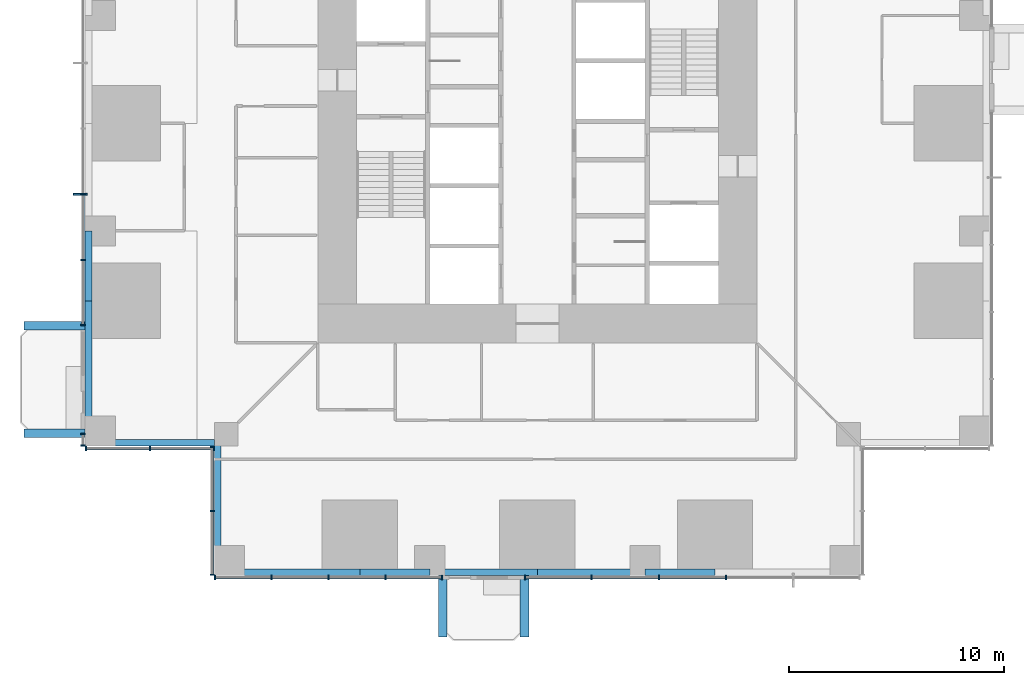
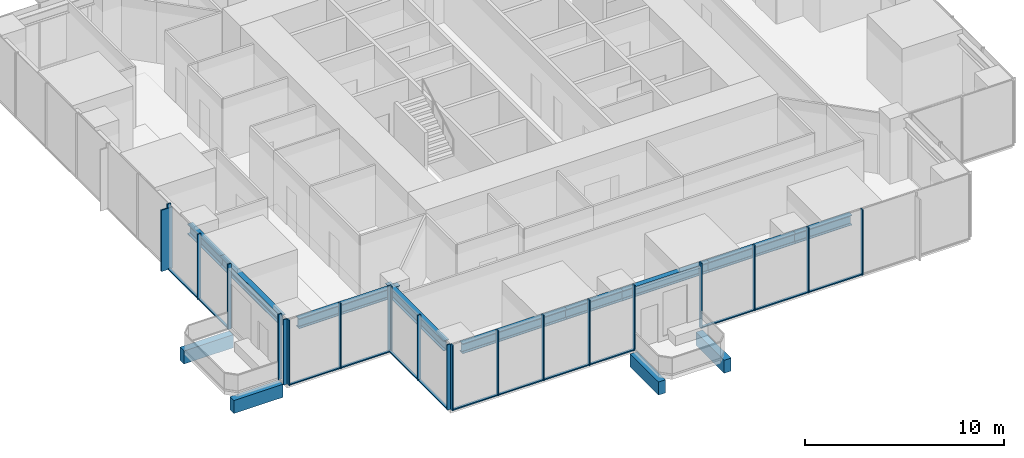
# One storey, part 2 of 17: 34 members, 13 beams, 6 elements without a shape of their own.
"""IFC4 building model written with IfcOpenShell, lengths in metres."""

from ifc_helpers import new_model, si_unit, direction, frame, origin, origin_2d, place, context, subcontext, project, spatial, rectangle, i_section, extrude, material, material_profile, profile_set, type_object, element, aggregate, save


model = new_model("IFC4")

# Units and contexts
model_context = context("Model", 3, precision=1e-05, world=origin(), true_north=direction((0.0, 1.0)))
body_context = subcontext(model_context, "Body", "Model", "MODEL_VIEW")
ifc_project = project(units=[si_unit("LENGTHUNIT", "METRE"), si_unit("AREAUNIT", "SQUARE_METRE"), si_unit("VOLUMEUNIT", "CUBIC_METRE"), si_unit("PLANEANGLEUNIT", "RADIAN"), si_unit("MASSUNIT", "GRAM", prefix="KILO")], contexts=[model_context])

# Site, building, storey
site_placement = place(None, origin())
site = spatial("IfcSite", under=ifc_project, at=site_placement, CompositionType="ELEMENT")
building_placement = place(site_placement, origin())
building = spatial("IfcBuilding", under=site, at=building_placement, Name="Svetlomir Tower", CompositionType="ELEMENT")
storey_placement = place(building_placement, frame((0.0, 0.0, 38.5)))
storey = spatial("IfcBuildingStorey", under=building, at=storey_placement, Name="L08", CompositionType="ELEMENT", Elevation=38.5)

# Beams
ifc_material_1 = material(Name="Concrete C60/75", Category="concrete")
ifc_material_profile_1 = material_profile(ifc_material_1, rectangle(XDim=0.39990234375, YDim=0.800048828125, at=origin_2d()), Name="RC 400x800")
ifc_profile_set_1 = profile_set([ifc_material_profile_1], Name="Concrete C60/75")
beam_type_1 = type_object("IfcBeamType", Name="BALCONY RIB RC 400x800", PredefinedType="BEAM", material=ifc_profile_set_1)
for number, where, z_axis, x_axis, name in (
    (1, (16.60009765625, 0.0, -0.64990234375), (0.0, -1.0, 0.0), (1.0, 0.0, 0.0), "Balcony rib S 1 L08"),
    (2, (20.39990234375, 0.0, -0.64990234375), (0.0, -1.0, 0.0), (1.0, 0.0, 0.0), "Balcony rib S 2 L08"),
    (3, (0.0, 6.60009765625, -0.64990234375), (-1.0, 0.0, 0.0), (0.0, -1.0, 0.0), "Balcony rib W 1 L08"),
    (4, (0.0, 11.60009765625, -0.64990234375), (-1.0, 0.0, 0.0), (0.0, -1.0, 0.0), "Balcony rib W 2 L08"),
):
    element("IfcBeam", number, at=place(storey_placement, frame(where, z_axis=z_axis, x_axis=x_axis)), inside=storey, type_object=beam_type_1, Name=name, PredefinedType="BEAM", context=body_context, shape_type="SweptSolid", body=[
        extrude(rectangle(XDim=0.39990234375, YDim=0.800048828125, at=origin_2d()), origin(), (0.0, 0.0, 1.0), 2.85009765625),
    ])

# Curtain wall, member
ifc_material_2 = material(Name="Bronze anodised aluminium curtain wall", Category="aluminium")
curtain_wall_type = type_object("IfcCurtainWallType", Name="CURTAIN WALL CW1 TOWER OFFICE", PredefinedType="NOTDEFINED", material=ifc_material_2)
curtain_wall_1_placement = place(storey_placement, origin())
curtain_wall_1 = element("IfcCurtainWall", 5, at=curtain_wall_1_placement, inside=storey, type_object=curtain_wall_type, Name="Curtain wall CW1 L08", PredefinedType="NOTDEFINED")
ifc_material_3 = material(Name="Bronze anodised aluminium", Category="aluminium")
ifc_material_profile_2 = material_profile(ifc_material_3, rectangle(XDim=0.080078125, YDim=0.64990234375, at=origin_2d()), Name="FIN 80x650")
ifc_profile_set_2 = profile_set([ifc_material_profile_2], Name="Bronze anodised aluminium 6063-T6")
member_type_1 = type_object("IfcMemberType", Name="BRONZE FIN 80x650", PredefinedType="USERDEFINED", material=ifc_profile_set_2)
member_1_placement = place(storey_placement, frame((-0.22509765625, 17.699951171875, 0.0), z_axis=(0.0, 0.0, 1.0), x_axis=(0.0, 1.0, 0.0)))
member_1 = element("IfcMember", 6, at=member_1_placement, type_object=member_type_1, Name="Bronze fin L08", ObjectType="FIN", PredefinedType="USERDEFINED", context=body_context, shape_type="SweptSolid", body=[
    extrude(rectangle(XDim=0.080078125, YDim=0.64990234375, at=origin_2d()), origin(), (0.0, 0.0, 1.0), 3.75),
])

# Curtain wall, members
curtain_wall_2_placement = place(storey_placement, origin())
curtain_wall_2 = element("IfcCurtainWall", 7, at=curtain_wall_2_placement, inside=storey, type_object=curtain_wall_type, Name="Curtain wall CW1 L08", PredefinedType="NOTDEFINED")
ifc_material_4 = material(Name="Bronze anodised aluminium", Category="aluminium")
ifc_material_profile_3 = material_profile(ifc_material_4, rectangle(XDim=0.06494140625, YDim=0.199951171875, at=origin_2d()), Name="AL 65x200")
ifc_profile_set_3 = profile_set([ifc_material_profile_3], Name="Bronze anodised aluminium 6063-T6")
member_type_2 = type_object("IfcMemberType", Name="CW1 MULLION 65x200", PredefinedType="MULLION", material=ifc_profile_set_3)
member_2_placement = place(storey_placement, frame((6.032470703125, -0.10009765625, 0.0), z_axis=(0.0, 0.0, 1.0), x_axis=(1.0, 0.0, 0.0)))
member_2 = element("IfcMember", 8, at=member_2_placement, type_object=member_type_2, Name="CW1 mullion 1", PredefinedType="MULLION", context=body_context, shape_type="SweptSolid", body=[
    extrude(rectangle(XDim=0.06494140625, YDim=0.199951171875, at=origin_2d()), origin(), (0.0, 0.0, 1.0), 4.0),
])
member_3_placement = place(storey_placement, frame((8.64990234375, -0.10009765625, 0.0), z_axis=(0.0, 0.0, 1.0), x_axis=(1.0, 0.0, 0.0)))
member_3 = element("IfcMember", 9, at=member_3_placement, type_object=member_type_2, Name="CW1 mullion 2", PredefinedType="MULLION", context=body_context, shape_type="SweptSolid", body=[
    extrude(rectangle(XDim=0.06494140625, YDim=0.199951171875, at=origin_2d()), origin(), (0.0, 0.0, 1.0), 4.0),
])
member_4_placement = place(storey_placement, frame((11.300048828125, -0.10009765625, 0.0), z_axis=(0.0, 0.0, 1.0), x_axis=(1.0, 0.0, 0.0)))
member_4 = element("IfcMember", 10, at=member_4_placement, type_object=member_type_2, Name="CW1 mullion 3", PredefinedType="MULLION", context=body_context, shape_type="SweptSolid", body=[
    extrude(rectangle(XDim=0.06494140625, YDim=0.199951171875, at=origin_2d()), origin(), (0.0, 0.0, 1.0), 4.0),
])
member_5_placement = place(storey_placement, frame((13.949951171875, -0.10009765625, 0.0), z_axis=(0.0, 0.0, 1.0), x_axis=(1.0, 0.0, 0.0)))
member_5 = element("IfcMember", 11, at=member_5_placement, type_object=member_type_2, Name="CW1 mullion 4", PredefinedType="MULLION", context=body_context, shape_type="SweptSolid", body=[
    extrude(rectangle(XDim=0.06494140625, YDim=0.199951171875, at=origin_2d()), origin(), (0.0, 0.0, 1.0), 4.0),
])
member_6_placement = place(storey_placement, frame((16.5673828125, -0.10009765625, 0.0), z_axis=(0.0, 0.0, 1.0), x_axis=(1.0, 0.0, 0.0)))
member_6 = element("IfcMember", 12, at=member_6_placement, type_object=member_type_2, Name="CW1 mullion 5", PredefinedType="MULLION", context=body_context, shape_type="SweptSolid", body=[
    extrude(rectangle(XDim=0.06494140625, YDim=0.199951171875, at=origin_2d()), origin(), (0.0, 0.0, 1.0), 4.0),
])

curtain_wall_3_placement = place(storey_placement, origin())
curtain_wall_3 = element("IfcCurtainWall", 13, at=curtain_wall_3_placement, inside=storey, type_object=curtain_wall_type, Name="Curtain wall CW1 L08", PredefinedType="NOTDEFINED")
member_7_placement = place(storey_placement, frame((20.4326171875, -0.10009765625, 0.0), z_axis=(0.0, 0.0, 1.0), x_axis=(1.0, 0.0, 0.0)))
member_7 = element("IfcMember", 14, at=member_7_placement, type_object=member_type_2, Name="CW1 mullion 1", PredefinedType="MULLION", context=body_context, shape_type="SweptSolid", body=[
    extrude(rectangle(XDim=0.06494140625, YDim=0.199951171875, at=origin_2d()), origin(), (0.0, 0.0, 1.0), 4.0),
])
member_8_placement = place(storey_placement, frame((23.52001953125, -0.10009765625, 0.0), z_axis=(0.0, 0.0, 1.0), x_axis=(1.0, 0.0, 0.0)))
member_8 = element("IfcMember", 15, at=member_8_placement, type_object=member_type_2, Name="CW1 mullion 2", PredefinedType="MULLION", context=body_context, shape_type="SweptSolid", body=[
    extrude(rectangle(XDim=0.06494140625, YDim=0.199951171875, at=origin_2d()), origin(), (0.0, 0.0, 1.0), 4.0),
])
member_9_placement = place(storey_placement, frame((26.639892578125, -0.10009765625, 0.0), z_axis=(0.0, 0.0, 1.0), x_axis=(1.0, 0.0, 0.0)))
member_9 = element("IfcMember", 16, at=member_9_placement, type_object=member_type_2, Name="CW1 mullion 3", PredefinedType="MULLION", context=body_context, shape_type="SweptSolid", body=[
    extrude(rectangle(XDim=0.06494140625, YDim=0.199951171875, at=origin_2d()), origin(), (0.0, 0.0, 1.0), 4.0),
])
member_10_placement = place(storey_placement, frame((29.760009765625, -0.10009765625, 0.0), z_axis=(0.0, 0.0, 1.0), x_axis=(1.0, 0.0, 0.0)))
member_10 = element("IfcMember", 17, at=member_10_placement, type_object=member_type_2, Name="CW1 mullion 4", PredefinedType="MULLION", context=body_context, shape_type="SweptSolid", body=[
    extrude(rectangle(XDim=0.06494140625, YDim=0.199951171875, at=origin_2d()), origin(), (0.0, 0.0, 1.0), 4.0),
])

# Member
member_11_placement = place(storey_placement, frame((-0.10009765625, 17.699951171875, 0.0), z_axis=(0.0, 0.0, 1.0), x_axis=(0.0, -1.0, 0.0)))
member_11 = element("IfcMember", 18, at=member_11_placement, type_object=member_type_2, Name="CW1 mullion 7", PredefinedType="MULLION", context=body_context, shape_type="SweptSolid", body=[
    extrude(rectangle(XDim=0.06494140625, YDim=0.199951171875, at=origin_2d()), origin(), (0.0, 0.0, 1.0), 4.0),
])

member_12_placement = place(storey_placement, frame((-0.10009765625, 14.64990234375, 0.0), z_axis=(0.0, 0.0, 1.0), x_axis=(0.0, -1.0, 0.0)))
member_12 = element("IfcMember", 19, at=member_12_placement, type_object=member_type_2, Name="CW1 mullion 8", PredefinedType="MULLION", context=body_context, shape_type="SweptSolid", body=[
    extrude(rectangle(XDim=0.06494140625, YDim=0.199951171875, at=origin_2d()), origin(), (0.0, 0.0, 1.0), 4.0),
])

member_13_placement = place(storey_placement, frame((-0.10009765625, 11.632568359375, 0.0), z_axis=(0.0, 0.0, 1.0), x_axis=(0.0, -1.0, 0.0)))
member_13 = element("IfcMember", 20, at=member_13_placement, type_object=member_type_2, Name="CW1 mullion 9", PredefinedType="MULLION", context=body_context, shape_type="SweptSolid", body=[
    extrude(rectangle(XDim=0.06494140625, YDim=0.199951171875, at=origin_2d()), origin(), (0.0, 0.0, 1.0), 4.0),
])

# Curtain wall, members
curtain_wall_4_placement = place(storey_placement, origin())
curtain_wall_4 = element("IfcCurtainWall", 21, at=curtain_wall_4_placement, inside=storey, type_object=curtain_wall_type, Name="Curtain wall CW1 L08", PredefinedType="NOTDEFINED")
member_14_placement = place(storey_placement, frame((-0.10009765625, 6.5673828125, 0.0), z_axis=(0.0, 0.0, 1.0), x_axis=(0.0, -1.0, 0.0)))
member_14 = element("IfcMember", 22, at=member_14_placement, type_object=member_type_2, Name="CW1 mullion 1", PredefinedType="MULLION", context=body_context, shape_type="SweptSolid", body=[
    extrude(rectangle(XDim=0.06494140625, YDim=0.199951171875, at=origin_2d()), origin(), (0.0, 0.0, 1.0), 4.0),
])
member_15_placement = place(storey_placement, frame((-0.10009765625, 6.032470703125, 0.0), z_axis=(0.0, 0.0, 1.0), x_axis=(0.0, -1.0, 0.0)))
member_15 = element("IfcMember", 23, at=member_15_placement, type_object=member_type_2, Name="CW1 mullion 2", PredefinedType="MULLION", context=body_context, shape_type="SweptSolid", body=[
    extrude(rectangle(XDim=0.06494140625, YDim=0.199951171875, at=origin_2d()), origin(), (0.0, 0.0, 1.0), 4.0),
])
aggregate(curtain_wall_4, [member_14, member_15])

curtain_wall_5_placement = place(storey_placement, origin())
curtain_wall_5 = element("IfcCurtainWall", 24, at=curtain_wall_5_placement, inside=storey, type_object=curtain_wall_type, Name="Curtain wall CW1 L08", PredefinedType="NOTDEFINED")
member_16_placement = place(storey_placement, frame((0.032470703125, 5.89990234375, 0.0), z_axis=(0.0, 0.0, 1.0), x_axis=(1.0, 0.0, 0.0)))
member_16 = element("IfcMember", 25, at=member_16_placement, type_object=member_type_2, Name="CW1 mullion 1", PredefinedType="MULLION", context=body_context, shape_type="SweptSolid", body=[
    extrude(rectangle(XDim=0.06494140625, YDim=0.199951171875, at=origin_2d()), origin(), (0.0, 0.0, 1.0), 4.0),
])
member_17_placement = place(storey_placement, frame((3.0, 5.89990234375, 0.0), z_axis=(0.0, 0.0, 1.0), x_axis=(1.0, 0.0, 0.0)))
member_17 = element("IfcMember", 26, at=member_17_placement, type_object=member_type_2, Name="CW1 mullion 2", PredefinedType="MULLION", context=body_context, shape_type="SweptSolid", body=[
    extrude(rectangle(XDim=0.06494140625, YDim=0.199951171875, at=origin_2d()), origin(), (0.0, 0.0, 1.0), 4.0),
])
member_18_placement = place(storey_placement, frame((5.967529296875, 5.89990234375, 0.0), z_axis=(0.0, 0.0, 1.0), x_axis=(1.0, 0.0, 0.0)))
member_18 = element("IfcMember", 27, at=member_18_placement, type_object=member_type_2, Name="CW1 mullion 3", PredefinedType="MULLION", context=body_context, shape_type="SweptSolid", body=[
    extrude(rectangle(XDim=0.06494140625, YDim=0.199951171875, at=origin_2d()), origin(), (0.0, 0.0, 1.0), 4.0),
])

curtain_wall_6_placement = place(storey_placement, origin())
curtain_wall_6 = element("IfcCurtainWall", 28, at=curtain_wall_6_placement, inside=storey, type_object=curtain_wall_type, Name="Curtain wall CW1 L08", PredefinedType="NOTDEFINED")
member_19_placement = place(storey_placement, frame((5.89990234375, 5.967529296875, 0.0), z_axis=(0.0, 0.0, 1.0), x_axis=(0.0, -1.0, 0.0)))
member_19 = element("IfcMember", 29, at=member_19_placement, type_object=member_type_2, Name="CW1 mullion 1", PredefinedType="MULLION", context=body_context, shape_type="SweptSolid", body=[
    extrude(rectangle(XDim=0.06494140625, YDim=0.199951171875, at=origin_2d()), origin(), (0.0, 0.0, 1.0), 4.0),
])
member_20_placement = place(storey_placement, frame((5.89990234375, 3.0, 0.0), z_axis=(0.0, 0.0, 1.0), x_axis=(0.0, -1.0, 0.0)))
member_20 = element("IfcMember", 30, at=member_20_placement, type_object=member_type_2, Name="CW1 mullion 2", PredefinedType="MULLION", context=body_context, shape_type="SweptSolid", body=[
    extrude(rectangle(XDim=0.06494140625, YDim=0.199951171875, at=origin_2d()), origin(), (0.0, 0.0, 1.0), 4.0),
])
member_21_placement = place(storey_placement, frame((5.89990234375, 0.032470703125, 0.0), z_axis=(0.0, 0.0, 1.0), x_axis=(0.0, -1.0, 0.0)))
member_21 = element("IfcMember", 31, at=member_21_placement, type_object=member_type_2, Name="CW1 mullion 3", PredefinedType="MULLION", context=body_context, shape_type="SweptSolid", body=[
    extrude(rectangle(XDim=0.06494140625, YDim=0.199951171875, at=origin_2d()), origin(), (0.0, 0.0, 1.0), 4.0),
])

# Member
ifc_material_5 = material(Name="Bronze anodised aluminium", Category="aluminium")
ifc_material_profile_4 = material_profile(ifc_material_5, rectangle(XDim=0.139892578125, YDim=0.06494140625, at=origin_2d()), Name="AL 140x65")
ifc_profile_set_4 = profile_set([ifc_material_profile_4], Name="Bronze anodised aluminium 6063-T6")
member_type_3 = type_object("IfcMemberType", Name="CW1 TRANSOM 65x140", PredefinedType="USERDEFINED", material=ifc_profile_set_4)
member_22_placement = place(storey_placement, frame((6.06494140625, -0.10009765625, 0.032470703125), z_axis=(1.0, 0.0, 0.0), x_axis=(0.0, 1.0, 0.0)))
member_22 = element("IfcMember", 32, at=member_22_placement, type_object=member_type_3, Name="CW1 transom 1.1", ObjectType="TRANSOM", PredefinedType="USERDEFINED", context=body_context, shape_type="SweptSolid", body=[
    extrude(rectangle(XDim=0.139892578125, YDim=0.06494140625, at=origin_2d()), origin(), (0.0, 0.0, 1.0), 2.552490234375),
])

member_23_placement = place(storey_placement, frame((8.6826171875, -0.10009765625, 0.032470703125), z_axis=(1.0, 0.0, 0.0), x_axis=(0.0, 1.0, 0.0)))
member_23 = element("IfcMember", 33, at=member_23_placement, type_object=member_type_3, Name="CW1 transom 2.1", ObjectType="TRANSOM", PredefinedType="USERDEFINED", context=body_context, shape_type="SweptSolid", body=[
    extrude(rectangle(XDim=0.139892578125, YDim=0.06494140625, at=origin_2d()), origin(), (0.0, 0.0, 1.0), 2.5849609375),
])

member_24_placement = place(storey_placement, frame((11.33251953125, -0.10009765625, 0.032470703125), z_axis=(1.0, 0.0, 0.0), x_axis=(0.0, 1.0, 0.0)))
member_24 = element("IfcMember", 34, at=member_24_placement, type_object=member_type_3, Name="CW1 transom 3.1", ObjectType="TRANSOM", PredefinedType="USERDEFINED", context=body_context, shape_type="SweptSolid", body=[
    extrude(rectangle(XDim=0.139892578125, YDim=0.06494140625, at=origin_2d()), origin(), (0.0, 0.0, 1.0), 2.5849609375),
])

member_25_placement = place(storey_placement, frame((13.982421875, -0.10009765625, 0.032470703125), z_axis=(1.0, 0.0, 0.0), x_axis=(0.0, 1.0, 0.0)))
member_25 = element("IfcMember", 35, at=member_25_placement, type_object=member_type_3, Name="CW1 transom 4.1", ObjectType="TRANSOM", PredefinedType="USERDEFINED", context=body_context, shape_type="SweptSolid", body=[
    extrude(rectangle(XDim=0.139892578125, YDim=0.06494140625, at=origin_2d()), origin(), (0.0, 0.0, 1.0), 2.552490234375),
])

aggregate(curtain_wall_2, [member_2, member_3, member_4, member_5, member_6, member_22, member_23, member_24, member_25])

member_26_placement = place(storey_placement, frame((20.465087890625, -0.10009765625, 0.032470703125), z_axis=(1.0, 0.0, 0.0), x_axis=(0.0, 1.0, 0.0)))
member_26 = element("IfcMember", 36, at=member_26_placement, type_object=member_type_3, Name="CW1 transom 1.1", ObjectType="TRANSOM", PredefinedType="USERDEFINED", context=body_context, shape_type="SweptSolid", body=[
    extrude(rectangle(XDim=0.139892578125, YDim=0.06494140625, at=origin_2d()), origin(), (0.0, 0.0, 1.0), 3.0224609375),
])

member_27_placement = place(storey_placement, frame((23.552490234375, -0.10009765625, 0.032470703125), z_axis=(1.0, 0.0, 0.0), x_axis=(0.0, 1.0, 0.0)))
member_27 = element("IfcMember", 37, at=member_27_placement, type_object=member_type_3, Name="CW1 transom 2.1", ObjectType="TRANSOM", PredefinedType="USERDEFINED", context=body_context, shape_type="SweptSolid", body=[
    extrude(rectangle(XDim=0.139892578125, YDim=0.06494140625, at=origin_2d()), origin(), (0.0, 0.0, 1.0), 3.054931640625),
])

member_28_placement = place(storey_placement, frame((26.672607421875, -0.10009765625, 0.032470703125), z_axis=(1.0, 0.0, 0.0), x_axis=(0.0, 1.0, 0.0)))
member_28 = element("IfcMember", 38, at=member_28_placement, type_object=member_type_3, Name="CW1 transom 3.1", ObjectType="TRANSOM", PredefinedType="USERDEFINED", context=body_context, shape_type="SweptSolid", body=[
    extrude(rectangle(XDim=0.139892578125, YDim=0.06494140625, at=origin_2d()), origin(), (0.0, 0.0, 1.0), 3.054931640625),
])

aggregate(curtain_wall_3, [member_7, member_8, member_9, member_10, member_26, member_27, member_28])

member_29_placement = place(storey_placement, frame((-0.10009765625, 17.66748046875, 0.032470703125), z_axis=(0.0, -1.0, 0.0), x_axis=(1.0, 0.0, 0.0)))
member_29 = element("IfcMember", 39, at=member_29_placement, type_object=member_type_3, Name="CW1 transom 7.1", ObjectType="TRANSOM", PredefinedType="USERDEFINED", context=body_context, shape_type="SweptSolid", body=[
    extrude(rectangle(XDim=0.139892578125, YDim=0.06494140625, at=origin_2d()), origin(), (0.0, 0.0, 1.0), 2.98486328125),
])

member_30_placement = place(storey_placement, frame((-0.10009765625, 14.617431640625, 0.032470703125), z_axis=(0.0, -1.0, 0.0), x_axis=(1.0, 0.0, 0.0)))
member_30 = element("IfcMember", 40, at=member_30_placement, type_object=member_type_3, Name="CW1 transom 8.1", ObjectType="TRANSOM", PredefinedType="USERDEFINED", context=body_context, shape_type="SweptSolid", body=[
    extrude(rectangle(XDim=0.139892578125, YDim=0.06494140625, at=origin_2d()), origin(), (0.0, 0.0, 1.0), 2.952392578125),
])

aggregate(curtain_wall_1, [member_11, member_12, member_13, member_29, member_30, member_1])

member_31_placement = place(storey_placement, frame((0.06494140625, 5.89990234375, 0.032470703125), z_axis=(1.0, 0.0, 0.0), x_axis=(0.0, 1.0, 0.0)))
member_31 = element("IfcMember", 41, at=member_31_placement, type_object=member_type_3, Name="CW1 transom 1.1", ObjectType="TRANSOM", PredefinedType="USERDEFINED", context=body_context, shape_type="SweptSolid", body=[
    extrude(rectangle(XDim=0.139892578125, YDim=0.06494140625, at=origin_2d()), origin(), (0.0, 0.0, 1.0), 2.902587890625),
])

member_32_placement = place(storey_placement, frame((3.032470703125, 5.89990234375, 0.032470703125), z_axis=(1.0, 0.0, 0.0), x_axis=(0.0, 1.0, 0.0)))
member_32 = element("IfcMember", 42, at=member_32_placement, type_object=member_type_3, Name="CW1 transom 2.1", ObjectType="TRANSOM", PredefinedType="USERDEFINED", context=body_context, shape_type="SweptSolid", body=[
    extrude(rectangle(XDim=0.139892578125, YDim=0.06494140625, at=origin_2d()), origin(), (0.0, 0.0, 1.0), 2.902587890625),
])

aggregate(curtain_wall_5, [member_16, member_17, member_18, member_31, member_32])

member_33_placement = place(storey_placement, frame((5.89990234375, 5.93505859375, 0.032470703125), z_axis=(0.0, -1.0, 0.0), x_axis=(1.0, 0.0, 0.0)))
member_33 = element("IfcMember", 43, at=member_33_placement, type_object=member_type_3, Name="CW1 transom 1.1", ObjectType="TRANSOM", PredefinedType="USERDEFINED", context=body_context, shape_type="SweptSolid", body=[
    extrude(rectangle(XDim=0.139892578125, YDim=0.06494140625, at=origin_2d()), origin(), (0.0, 0.0, 1.0), 2.902587890625),
])

member_34_placement = place(storey_placement, frame((5.89990234375, 2.967529296875, 0.032470703125), z_axis=(0.0, -1.0, 0.0), x_axis=(1.0, 0.0, 0.0)))
member_34 = element("IfcMember", 44, at=member_34_placement, type_object=member_type_3, Name="CW1 transom 2.1", ObjectType="TRANSOM", PredefinedType="USERDEFINED", context=body_context, shape_type="SweptSolid", body=[
    extrude(rectangle(XDim=0.139892578125, YDim=0.06494140625, at=origin_2d()), origin(), (0.0, 0.0, 1.0), 2.902587890625),
])

aggregate(curtain_wall_6, [member_19, member_20, member_21, member_33, member_34])

# Beams
ifc_material_6 = material(Name="Steel S355", Category="steel")
ifc_material_profile_5 = material_profile(ifc_material_6, i_section(OverallWidth=0.304931640625, OverallDepth=0.6201171875, WebThickness=0.02099609375, FlangeThickness=0.0400390625, FilletRadius=0.027099609375, at=origin_2d()), Name="HEM 600")
ifc_profile_set_5 = profile_set([ifc_material_profile_5], Name="Steel S355")
beam_type_2 = type_object("IfcBeamType", Name="EDGE BEAM HEM 600", PredefinedType="SPANDREL", material=ifc_profile_set_5)
for number, where, z_axis, x_axis, name in (
    (45, (6.699951171875, 0.152587890625, 3.43994140625), (1.0, 0.0, 0.0), (0.0, 1.0, 0.0), "Edge beam 6/0 to 11/0 under L09"),
    (46, (0.152587890625, 6.699951171875, 3.43994140625), (0.0, 1.0, 0.0), (-1.0, 0.0, 0.0), "Edge beam 0/6 to 0/11 under L09"),
):
    element("IfcBeam", number, at=place(storey_placement, frame(where, z_axis=z_axis, x_axis=x_axis)), inside=storey, type_object=beam_type_2, Name=name, PredefinedType="SPANDREL", context=body_context, shape_type="SweptSolid", body=[
        extrude(i_section(OverallWidth=0.304931640625, OverallDepth=0.6201171875, WebThickness=0.02099609375, FlangeThickness=0.0400390625, FilletRadius=0.027099609375, at=origin_2d()), origin(), (0.0, 0.0, 1.0), 6.050048828125),
    ])
for number, where, z_axis, x_axis, name in (
    (47, (12.75, 0.152587890625, 3.43994140625), (1.0, 0.0, 0.0), (0.0, 1.0, 0.0), "Edge beam 11/0 to 16/0 under L09"),
    (48, (0.152587890625, 12.75, 3.43994140625), (0.0, 1.0, 0.0), (-1.0, 0.0, 0.0), "Edge beam 0/11 to 0/16 under L09"),
):
    element("IfcBeam", number, at=place(storey_placement, frame(where, z_axis=z_axis, x_axis=x_axis)), inside=storey, type_object=beam_type_2, Name=name, PredefinedType="SPANDREL", context=body_context, shape_type="SweptSolid", body=[
        extrude(i_section(OverallWidth=0.304931640625, OverallDepth=0.6201171875, WebThickness=0.02099609375, FlangeThickness=0.0400390625, FilletRadius=0.027099609375, at=origin_2d()), origin(), (0.0, 0.0, 1.0), 3.25),
    ])
for number, where, z_axis, x_axis, name in (
    (49, (16.0, 0.152587890625, 3.43994140625), (1.0, 0.0, 0.0), (0.0, 1.0, 0.0), "Edge beam 16/0 to 21/0 under L09"),
    (50, (21.0, 0.152587890625, 3.43994140625), (1.0, 0.0, 0.0), (0.0, 1.0, 0.0), "Edge beam 21/0 to 26/0 under L09"),
):
    element("IfcBeam", number, at=place(storey_placement, frame(where, z_axis=z_axis, x_axis=x_axis)), inside=storey, type_object=beam_type_2, Name=name, PredefinedType="SPANDREL", context=body_context, shape_type="SweptSolid", body=[
        extrude(i_section(OverallWidth=0.304931640625, OverallDepth=0.6201171875, WebThickness=0.02099609375, FlangeThickness=0.0400390625, FilletRadius=0.027099609375, at=origin_2d()), origin(), (0.0, 0.0, 1.0), 5.0),
    ])
beam_placement = place(storey_placement, frame((26.0, 0.152587890625, 3.43994140625), z_axis=(1.0, 0.0, 0.0), x_axis=(0.0, 1.0, 0.0)))
element("IfcBeam", 51, at=beam_placement, inside=storey, type_object=beam_type_2, Name="Edge beam 26/0 to 31/0 under L09", PredefinedType="SPANDREL", context=body_context, shape_type="SweptSolid", body=[
    extrude(i_section(OverallWidth=0.304931640625, OverallDepth=0.6201171875, WebThickness=0.02099609375, FlangeThickness=0.0400390625, FilletRadius=0.027099609375, at=origin_2d()), origin(), (0.0, 0.0, 1.0), 3.25),
])
for number, where, z_axis, x_axis, name in (
    (52, (6.152587890625, 0.699951171875, 3.43994140625), (0.0, 1.0, 0.0), (-1.0, 0.0, 0.0), "Edge beam 6/0 to 6/6 under L09"),
    (53, (0.699951171875, 6.152587890625, 3.43994140625), (1.0, 0.0, 0.0), (0.0, 1.0, 0.0), "Edge beam 0/6 to 6/6 under L09"),
):
    element("IfcBeam", number, at=place(storey_placement, frame(where, z_axis=z_axis, x_axis=x_axis)), inside=storey, type_object=beam_type_2, Name=name, PredefinedType="SPANDREL", context=body_context, shape_type="SweptSolid", body=[
        extrude(i_section(OverallWidth=0.304931640625, OverallDepth=0.6201171875, WebThickness=0.02099609375, FlangeThickness=0.0400390625, FilletRadius=0.027099609375, at=origin_2d()), origin(), (0.0, 0.0, 1.0), 5.85009765625),
    ])

save(model, "model.ifc")
